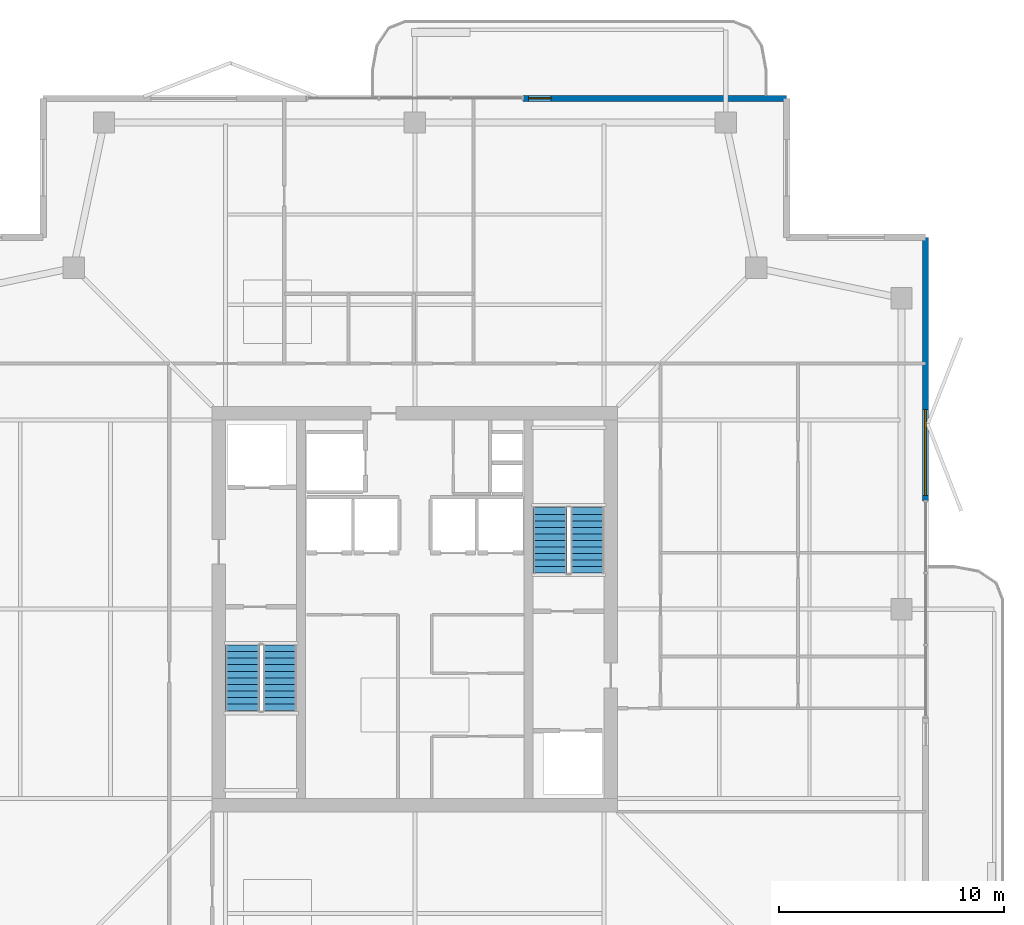
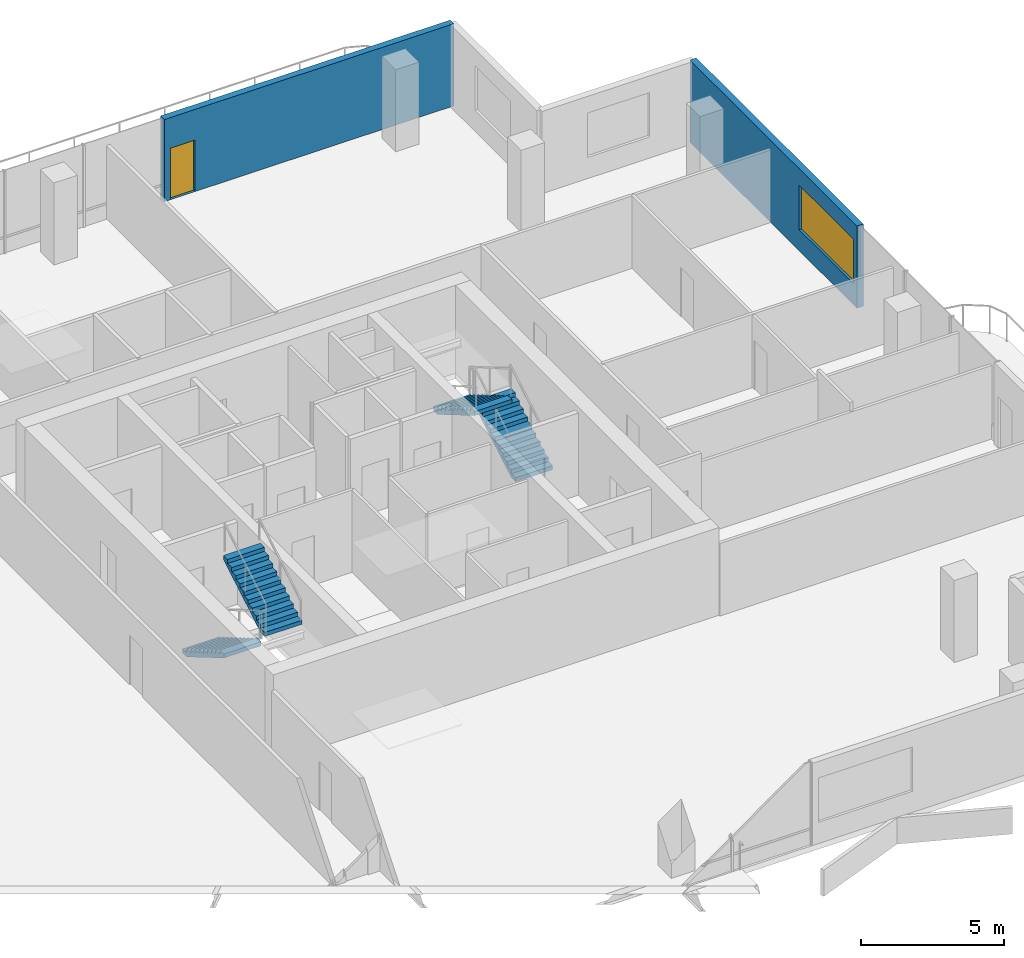
# One storey, part 15 of 17: 4 stair flights, 2 walls, 1 door, 1 window, 2 openings, 2 elements without a shape of their own.
"""IFC4 building model written with IfcOpenShell, lengths in metres."""

import ifcopenshell
import ifcopenshell.guid

model = None  # the IFC model being written
_history = None  # IfcOwnerHistory: only IFC2X3 demands one
_inside = {}  # id of a spatial element -> (the spatial element, [elements in it])
_under = {}  # id of a project, library or spatial element -> (it, [spatial elements below it])
_declared = {}  # id of a project -> (the project, [libraries it declares])
_typed = {}  # id of a type object -> (the type object, [elements of that type])
_made_of = {}  # id of a material, layer set ... -> (it, [elements and type objects made of it])


def new_model(schema):
    """Start an empty IFC model of exactly this schema.

    Asked for "IFC4X3", IfcOpenShell would pick the latest addendum, in which some entities
    have other attributes; the version numbers below select the first issue.
    IFC2X3 requires an IfcOwnerHistory on every rooted entity: one is made here for all.
    """
    global model, _history
    if schema == "IFC4X3":
        model = ifcopenshell.file(schema_version=(4, 3, 0, 0))
    else:
        model = ifcopenshell.file(schema=schema)
    _inside.clear()
    _under.clear()
    _declared.clear()
    _typed.clear()
    _made_of.clear()
    _history = None
    if model.schema == "IFC2X3":
        org = make("IfcOrganization", Name="unknown")
        user = make(
            "IfcPersonAndOrganization",
            ThePerson=make("IfcPerson", FamilyName="unknown"),
            TheOrganization=org,
        )
        app = make(
            "IfcApplication",
            ApplicationDeveloper=org,
            Version="unknown",
            ApplicationFullName="unknown",
            ApplicationIdentifier="unknown",
        )
        _history = make(
            "IfcOwnerHistory",
            OwningUser=user,
            OwningApplication=app,
            ChangeAction="ADDED",
            CreationDate=0,
        )
    return model


def make(cls, **values):
    """One entity of the class cls with the attributes given. An attribute that is None is left unset."""
    return model.create_entity(
        cls, **{name: value for name, value in values.items() if value is not None}
    )


def rooted(cls, **values):
    """An entity with a GlobalId (a new one), such as an element, a storey or a relation."""
    return make(cls, GlobalId=ifcopenshell.guid.new(), OwnerHistory=_history, **values)


def si_unit(unit_type, name, prefix=None):
    """IfcSIUnit, for example si_unit("LENGTHUNIT", "METRE", prefix="MILLI")."""
    return make("IfcSIUnit", UnitType=unit_type, Prefix=prefix, Name=name)


def assignment(units):
    """IfcUnitAssignment: the units of a project."""
    return None if units is None else make("IfcUnitAssignment", Units=units)


def point(xyz):
    """IfcCartesianPoint."""
    return None if xyz is None else make("IfcCartesianPoint", Coordinates=xyz)


def direction(xyz):
    """IfcDirection."""
    return None if xyz is None else make("IfcDirection", DirectionRatios=xyz)


def frame(location, z_axis=None, x_axis=None):
    """IfcAxis2Placement3D, a coordinate frame: its origin and axes. An axis left out is left unset."""
    return make(
        "IfcAxis2Placement3D",
        Location=point(location),
        Axis=direction(z_axis),
        RefDirection=direction(x_axis),
    )


def frame_2d(location, x_axis=None):
    """IfcAxis2Placement2D, a coordinate frame in the plane: its origin and x axis."""
    return make(
        "IfcAxis2Placement2D", Location=point(location), RefDirection=direction(x_axis)
    )


def origin():
    """The frame at (0, 0, 0) with its axes left unset."""
    return frame((0.0, 0.0, 0.0))


def place(relative_to, where):
    """IfcLocalPlacement: puts the frame where relative to a parent placement (None: the world)."""
    return make(
        "IfcLocalPlacement", PlacementRelTo=relative_to, RelativePlacement=where
    )


def context(
    kind, dimensions, precision=None, world=None, true_north=None, identifier=None
):
    """IfcGeometricRepresentationContext, for example the 3D "Model" context."""
    return make(
        "IfcGeometricRepresentationContext",
        ContextIdentifier=identifier,
        ContextType=kind,
        CoordinateSpaceDimension=dimensions,
        Precision=precision,
        WorldCoordinateSystem=world,
        TrueNorth=true_north,
    )


def subcontext(parent, identifier, kind, view, scale=None):
    """IfcGeometricRepresentationSubContext, for example "Body" below "Model"."""
    return make(
        "IfcGeometricRepresentationSubContext",
        ContextIdentifier=identifier,
        ContextType=kind,
        ParentContext=parent,
        TargetScale=scale,
        TargetView=view,
    )


def project(units=None, contexts=None):
    """IfcProject with its units and contexts."""
    return rooted(
        "IfcProject",
        Name="project",
        RepresentationContexts=contexts,
        UnitsInContext=assignment(units),
    )


def spatial(cls, under=None, at=None, **own):
    """A site, building, storey or space (cls), placed at a placement, below another one or the project."""
    s = rooted(cls, ObjectPlacement=at, **own)
    if under is not None:
        _under.setdefault(under.id(), (under, []))[1].append(s)
    return s


def polyline(points):
    """IfcPolyline through the points."""
    return make("IfcPolyline", Points=[point(p) for p in points])


def profile(cls, at=None, kind="AREA", **sizes):
    """A parametric profile (cls). Its sizes go by their IFC names, for example OverallWidth=200.0."""
    return make(cls, ProfileType=kind, Position=at, **sizes)


def rectangle(**sizes):
    """IfcRectangleProfileDef."""
    return profile("IfcRectangleProfileDef", **sizes)


def outline(outer, holes=None, kind="AREA"):
    """IfcArbitraryClosedProfileDef: a profile drawn as a closed curve; with holes, ...WithVoids."""
    if holes is None:
        return make("IfcArbitraryClosedProfileDef", ProfileType=kind, OuterCurve=outer)
    return make(
        "IfcArbitraryProfileDefWithVoids",
        ProfileType=kind,
        OuterCurve=outer,
        InnerCurves=holes,
    )


def extrude(swept, where, along, depth):
    """IfcExtrudedAreaSolid: the profile swept, set in the frame where, extruded along a direction by depth."""
    return make(
        "IfcExtrudedAreaSolid",
        SweptArea=swept,
        Position=where,
        ExtrudedDirection=direction(along),
        Depth=depth,
    )


def shape(context_of_items, identifier, shape_type, items):
    """IfcShapeRepresentation: the items that make up one representation, for example the "Body"."""
    return make(
        "IfcShapeRepresentation",
        ContextOfItems=context_of_items,
        RepresentationIdentifier=identifier,
        RepresentationType=shape_type,
        Items=items,
    )


def material(Name=None, Category=None):
    """IfcMaterial."""
    return make("IfcMaterial", Name=Name, Category=Category)


def layer(
    of_material, thickness, ventilated=None, Name=None, Category=None, Priority=None
):
    """IfcMaterialLayer: one layer of a wall or slab, of a material (None: an air gap)."""
    return make(
        "IfcMaterialLayer",
        Material=of_material,
        LayerThickness=thickness,
        IsVentilated=ventilated,
        Name=Name,
        Category=Category,
        Priority=Priority,
    )


def layer_set(layers, Name=None):
    """IfcMaterialLayerSet."""
    return make("IfcMaterialLayerSet", MaterialLayers=layers, LayerSetName=Name)


def made_of(thing, what):
    """Note that an element or type object is made of a material, layer set ...; save() writes the relation."""
    if what is not None:
        _made_of.setdefault(what.id(), (what, []))[1].append(thing)
    return thing


def type_object(cls, material=None, **own):
    """A type object (cls), such as IfcWallType, which elements share."""
    return made_of(rooted(cls, **own), material)


def element(
    cls,
    number,
    at=None,
    inside=None,
    cuts=None,
    type_object=None,
    material=None,
    context=None,
    identifier="Body",
    shape_type=None,
    held_by="IfcProductDefinitionShape",
    body=None,
    shapes=None,
    **own,
):
    """One element of the class cls, such as IfcWall. Its Tag is "e" and its number.

    at: its placement. inside: the storey or other place that contains it. cuts: it is an
    opening in that element (IfcRelVoidsElement). A single representation is given by context,
    identifier, shape_type and body (its items); several are given by shapes. held_by: the class
    of the entity that holds the representations. save() writes the other relations.
    """
    e = rooted(cls, Tag="e%d" % number, ObjectPlacement=at, **own)
    if body is not None:
        shapes = [shape(context, identifier, shape_type, body)]
    if shapes is not None:
        e.Representation = make(held_by, Representations=shapes)
    if inside is not None:
        _inside.setdefault(inside.id(), (inside, []))[1].append(e)
    if cuts is not None:
        rooted(
            "IfcRelVoidsElement", RelatingBuildingElement=cuts, RelatedOpeningElement=e
        )
    if type_object is not None:
        _typed.setdefault(type_object.id(), (type_object, []))[1].append(e)
    return made_of(e, material)


def fill(opening, filler):
    """IfcRelFillsElement: the door or window that sits in an opening."""
    return rooted(
        "IfcRelFillsElement",
        RelatingOpeningElement=opening,
        RelatedBuildingElement=filler,
    )


def aggregate(whole, parts):
    """IfcRelAggregates: a whole, such as a stair, and the parts it consists of."""
    return rooted("IfcRelAggregates", RelatingObject=whole, RelatedObjects=parts)


def save(model, path):
    """Write the relations noted so far, then the file.

    IfcRelAggregates (storeys below a building ...), IfcRelContainedInSpatialStructure (elements
    in a storey), IfcRelDefinesByType, IfcRelAssociatesMaterial and IfcRelDeclares: one each for
    every whole, place, type object, material and project.
    """
    for whole, parts in _under.values():
        aggregate(whole, parts)
    for where, things in _inside.values():
        rooted(
            "IfcRelContainedInSpatialStructure",
            RelatedElements=things,
            RelatingStructure=where,
        )
    for kind, things in _typed.values():
        rooted("IfcRelDefinesByType", RelatedObjects=things, RelatingType=kind)
    for what, things in _made_of.values():
        rooted("IfcRelAssociatesMaterial", RelatedObjects=things, RelatingMaterial=what)
    for by, libraries in _declared.values():
        rooted("IfcRelDeclares", RelatingContext=by, RelatedDefinitions=libraries)
    model.write(path)


model = new_model("IFC4")

# Units and contexts
model_context = context("Model", 3, precision=1e-05, world=origin(), true_north=direction((0.0, 1.0)))
body_context = subcontext(model_context, "Body", "Model", "MODEL_VIEW")
ifc_project = project(units=[si_unit("LENGTHUNIT", "METRE"), si_unit("AREAUNIT", "SQUARE_METRE"), si_unit("VOLUMEUNIT", "CUBIC_METRE"), si_unit("PLANEANGLEUNIT", "RADIAN"), si_unit("MASSUNIT", "GRAM", prefix="KILO")], contexts=[model_context])

# Site, building, storey
site_placement = place(None, origin())
site = spatial("IfcSite", under=ifc_project, at=site_placement, CompositionType="ELEMENT")
building_placement = place(site_placement, origin())
building = spatial("IfcBuilding", under=site, at=building_placement, Name="Belovzor Exchange Tower", CompositionType="ELEMENT")
storey_placement = place(building_placement, frame((0.0, 0.0, 303.0)))
storey = spatial("IfcBuildingStorey", under=building, at=storey_placement, Name="L75", CompositionType="ELEMENT", Elevation=303.0)

# Wall, opening, door
ifc_material_1 = material(Name="Precast concrete C40/50", Category="concrete")
ifc_layer = layer(ifc_material_1, 0.260009765625)
ifc_layer_set = layer_set([ifc_layer], Name="Precast concrete C40/50")
wall_type = type_object("IfcWallType", Name="Precast Concrete Perimeter Loggia Frame Wall 260", PredefinedType="SOLIDWALL", material=ifc_layer_set)
wall_1_placement = place(storey_placement, frame((33.60009765625, 51.469970703125, 0.0), z_axis=(0.0, 0.0, 1.0), x_axis=(1.0, 0.0, 0.0)))
wall_1 = element("IfcWall", 1, at=wall_1_placement, inside=storey, type_object=wall_type, Name="W-EXT260 Precast Concrete Perimeter Loggia Frame Wall 260 L75", PredefinedType="SOLIDWALL", context=body_context, shape_type="SweptSolid", body=[
    extrude(rectangle(XDim=11.699951171875, YDim=0.260009765625, at=frame_2d((5.85009765625, 0.0))), origin(), (0.0, 0.0, 1.0), 3.510009765625),
])
opening_1_placement = place(wall_1_placement, frame((0.25, 0.0, 0.0)))
opening_1 = element("IfcOpeningElement", 2, at=opening_1_placement, cuts=wall_1, Name="Opening D-BAL100", PredefinedType="OPENING", context=body_context, shape_type="SweptSolid", body=[
    extrude(rectangle(XDim=1.0, YDim=2.199951171875, at=frame_2d((0.5, 1.10009765625))), frame((0.0, 0.139892578125, 0.0), z_axis=(0.0, -1.0, 0.0), x_axis=(1.0, 0.0, 0.0)), (0.0, 0.0, 1.0), 0.280029296875),
])
ifc_material_2 = material(Name="Thermally Broken Anodised Aluminium and Laminated Glass", Category="aluminium")
door_type = type_object("IfcDoorType", Name="Planted Loggia Terrace Glazed Door 1000x2200", OperationType="SINGLE_SWING_LEFT", PredefinedType="DOOR", material=ifc_material_2)
door_placement = place(opening_1_placement, origin())
door = element("IfcDoor", 3, at=door_placement, inside=storey, type_object=door_type, Name="D-BAL100 Balcony Terrace Door L75 N", OperationType="SINGLE_SWING_RIGHT", OverallHeight=2.199951171875, OverallWidth=1.0, PredefinedType="DOOR", context=body_context, shape_type="SweptSolid", body=[
    extrude(rectangle(XDim=1.0, YDim=2.199951171875, at=frame_2d((0.5, 1.10009765625))), frame((0.0, 0.02490234375, 0.0), z_axis=(0.0, -1.0, 0.0), x_axis=(1.0, 0.0, 0.0)), (0.0, 0.0, 1.0), 0.050048828125),
])
fill(opening_1, door)

# Wall, opening, window
wall_2_placement = place(storey_placement, frame((51.469970703125, 45.300048828125, 0.0), z_axis=(0.0, 0.0, 1.0), x_axis=(0.0, -1.0, 0.0)))
wall_2 = element("IfcWall", 4, at=wall_2_placement, inside=storey, type_object=wall_type, Name="W-EXT260 Precast Concrete Perimeter Loggia Frame Wall 260 L75", PredefinedType="SOLIDWALL", context=body_context, shape_type="SweptSolid", body=[
    extrude(rectangle(XDim=11.699951171875, YDim=0.260009765625, at=frame_2d((5.85009765625, 0.0))), origin(), (0.0, 0.0, 1.0), 3.510009765625),
])
opening_2_placement = place(wall_2_placement, frame((7.64990234375, 0.0, 0.89990234375)))
opening_2 = element("IfcOpeningElement", 5, at=opening_2_placement, cuts=wall_2, Name="Opening WN-RIB380", PredefinedType="OPENING", context=body_context, shape_type="SweptSolid", body=[
    extrude(rectangle(XDim=3.800048828125, YDim=1.89990234375, at=frame_2d((1.89990234375, 0.949951171875))), frame((0.0, 0.139892578125, 0.0), z_axis=(0.0, -1.0, 0.0), x_axis=(1.0, 0.0, 0.0)), (0.0, 0.0, 1.0), 0.280029296875),
])
ifc_material_3 = material(Name="Thermally Broken Aluminium and Triple Glazing", Category="aluminium")
window_type = type_object("IfcWindowType", Name="Streamline Moderne Horizontal Ribbon Window 3800x1900", PartitioningType="SINGLE_PANEL", PredefinedType="WINDOW", material=ifc_material_3)
window_placement = place(opening_2_placement, origin())
window = element("IfcWindow", 6, at=window_placement, inside=storey, type_object=window_type, Name="WN-RIB380 Streamline Moderne Horizontal Ribbon Window 3800x1900", OverallHeight=1.89990234375, OverallWidth=3.800048828125, PartitioningType="SINGLE_PANEL", PredefinedType="WINDOW", context=body_context, shape_type="SweptSolid", body=[
    extrude(rectangle(XDim=3.800048828125, YDim=1.89990234375, at=frame_2d((1.89990234375, 0.949951171875))), frame((0.0, 0.030029296875, 0.0), z_axis=(0.0, -1.0, 0.0), x_axis=(1.0, 0.0, 0.0)), (0.0, 0.0, 1.0), 0.06005859375),
])
fill(opening_2, window)

# Stair, stair flights
ifc_material_4 = material(Name="Concrete C40/50", Category="concrete")
stair_type = type_object("IfcStairType", Name="Reinforced Concrete Dogleg Escape Stair 1350", PredefinedType="HALF_TURN_STAIR", material=ifc_material_4)
stair_1_placement = place(storey_placement, origin())
stair_1 = element("IfcStair", 7, at=stair_1_placement, inside=storey, type_object=stair_type, Name="L75 ST-1", PredefinedType="HALF_TURN_STAIR")
ifc_material_5 = material(Name="Concrete C40/50", Category="concrete")
stair_flight_type = type_object("IfcStairFlightType", Name="Reinforced Concrete Stair Flight 1350", PredefinedType="STRAIGHT", material=ifc_material_5)
stair_flight_1_placement = place(storey_placement, frame((21.14990234375, 27.199951171875, 0.0), z_axis=(0.0, 0.0, 1.0), x_axis=(0.0, -1.0, 0.0)))
stair_flight_1 = element("IfcStairFlight", 8, at=stair_flight_1_placement, type_object=stair_flight_type, Name="ST-1 flight 1", NumberOfRisers=11, NumberOfTreads=10, PredefinedType="STRAIGHT", RiserHeight=0.170454545, TreadLength=0.29, context=body_context, shape_type="SweptSolid", body=[
    extrude(outline(polyline([(0.0, 0.0), (0.0, 0.17041015625), (0.2900390625, 0.17041015625), (0.2900390625, 0.3408203125), (0.580078125, 0.3408203125), (0.580078125, 0.511474609375), (0.8701171875, 0.511474609375), (0.8701171875, 0.681884765625), (1.159912109375, 0.681884765625), (1.159912109375, 0.852294921875), (1.449951171875, 0.852294921875), (1.449951171875, 1.022705078125), (1.739990234375, 1.022705078125), (1.739990234375, 1.193115234375), (2.030029296875, 1.193115234375), (2.030029296875, 1.363525390625), (2.320068359375, 1.363525390625), (2.320068359375, 1.5341796875), (2.610107421875, 1.5341796875), (2.610107421875, 1.70458984375), (2.89990234375, 1.70458984375), (2.89990234375, 1.875), (2.89990234375, 1.53076171875), (0.2958984375, 0.0), (0.0, 0.0)])), frame((0.0, 0.75, 0.0), z_axis=(0.0, -1.0, 0.0), x_axis=(1.0, 0.0, 0.0)), (0.0, 0.0, 1.0), 1.5),
])
stair_flight_2_placement = place(storey_placement, frame((22.800048828125, 24.300048828125, 1.875), z_axis=(0.0, 0.0, 1.0), x_axis=(0.0, 1.0, 0.0)))
stair_flight_2 = element("IfcStairFlight", 9, at=stair_flight_2_placement, type_object=stair_flight_type, Name="ST-1 flight 2", NumberOfRisers=11, NumberOfTreads=10, PredefinedType="STRAIGHT", RiserHeight=0.170454545, TreadLength=0.29, context=body_context, shape_type="SweptSolid", body=[
    extrude(outline(polyline([(0.0, 0.0), (0.0, 0.17041015625), (0.2900390625, 0.17041015625), (0.2900390625, 0.3408203125), (0.580078125, 0.3408203125), (0.580078125, 0.511474609375), (0.8701171875, 0.511474609375), (0.8701171875, 0.681884765625), (1.159912109375, 0.681884765625), (1.159912109375, 0.852294921875), (1.449951171875, 0.852294921875), (1.449951171875, 1.022705078125), (1.739990234375, 1.022705078125), (1.739990234375, 1.193115234375), (2.030029296875, 1.193115234375), (2.030029296875, 1.363525390625), (2.320068359375, 1.363525390625), (2.320068359375, 1.5341796875), (2.610107421875, 1.5341796875), (2.610107421875, 1.70458984375), (2.89990234375, 1.70458984375), (2.89990234375, 1.875), (2.89990234375, 1.53076171875), (0.2958984375, 0.0), (0.0, 0.0)])), frame((0.0, 0.75, 0.0), z_axis=(0.0, -1.0, 0.0), x_axis=(1.0, 0.0, 0.0)), (0.0, 0.0, 1.0), 1.5),
])
aggregate(stair_1, [stair_flight_1, stair_flight_2])

stair_2_placement = place(storey_placement, origin())
stair_2 = element("IfcStair", 10, at=stair_2_placement, inside=storey, type_object=stair_type, Name="L75 ST-2", PredefinedType="HALF_TURN_STAIR")
stair_flight_3_placement = place(storey_placement, frame((36.449951171875, 30.39990234375, 0.0), z_axis=(0.0, 0.0, 1.0), x_axis=(0.0, 1.0, 0.0)))
stair_flight_3 = element("IfcStairFlight", 11, at=stair_flight_3_placement, type_object=stair_flight_type, Name="ST-2 flight 1", NumberOfRisers=11, NumberOfTreads=10, PredefinedType="STRAIGHT", RiserHeight=0.170454545, TreadLength=0.29, context=body_context, shape_type="SweptSolid", body=[
    extrude(outline(polyline([(0.0, 0.0), (0.0, 0.17041015625), (0.2900390625, 0.17041015625), (0.2900390625, 0.3408203125), (0.580078125, 0.3408203125), (0.580078125, 0.511474609375), (0.8701171875, 0.511474609375), (0.8701171875, 0.681884765625), (1.159912109375, 0.681884765625), (1.159912109375, 0.852294921875), (1.449951171875, 0.852294921875), (1.449951171875, 1.022705078125), (1.739990234375, 1.022705078125), (1.739990234375, 1.193115234375), (2.030029296875, 1.193115234375), (2.030029296875, 1.363525390625), (2.320068359375, 1.363525390625), (2.320068359375, 1.5341796875), (2.610107421875, 1.5341796875), (2.610107421875, 1.70458984375), (2.89990234375, 1.70458984375), (2.89990234375, 1.875), (2.89990234375, 1.53076171875), (0.2958984375, 0.0), (0.0, 0.0)])), frame((0.0, 0.75, 0.0), z_axis=(0.0, -1.0, 0.0), x_axis=(1.0, 0.0, 0.0)), (0.0, 0.0, 1.0), 1.5),
])
stair_flight_4_placement = place(storey_placement, frame((34.800048828125, 33.300048828125, 1.875), z_axis=(0.0, 0.0, 1.0), x_axis=(0.0, -1.0, 0.0)))
stair_flight_4 = element("IfcStairFlight", 12, at=stair_flight_4_placement, type_object=stair_flight_type, Name="ST-2 flight 2", NumberOfRisers=11, NumberOfTreads=10, PredefinedType="STRAIGHT", RiserHeight=0.170454545, TreadLength=0.29, context=body_context, shape_type="SweptSolid", body=[
    extrude(outline(polyline([(0.0, 0.0), (0.0, 0.17041015625), (0.2900390625, 0.17041015625), (0.2900390625, 0.3408203125), (0.580078125, 0.3408203125), (0.580078125, 0.511474609375), (0.8701171875, 0.511474609375), (0.8701171875, 0.681884765625), (1.159912109375, 0.681884765625), (1.159912109375, 0.852294921875), (1.449951171875, 0.852294921875), (1.449951171875, 1.022705078125), (1.739990234375, 1.022705078125), (1.739990234375, 1.193115234375), (2.030029296875, 1.193115234375), (2.030029296875, 1.363525390625), (2.320068359375, 1.363525390625), (2.320068359375, 1.5341796875), (2.610107421875, 1.5341796875), (2.610107421875, 1.70458984375), (2.89990234375, 1.70458984375), (2.89990234375, 1.875), (2.89990234375, 1.53076171875), (0.2958984375, 0.0), (0.0, 0.0)])), frame((0.0, 0.75, 0.0), z_axis=(0.0, -1.0, 0.0), x_axis=(1.0, 0.0, 0.0)), (0.0, 0.0, 1.0), 1.5),
])
aggregate(stair_2, [stair_flight_3, stair_flight_4])

save(model, "model.ifc")
